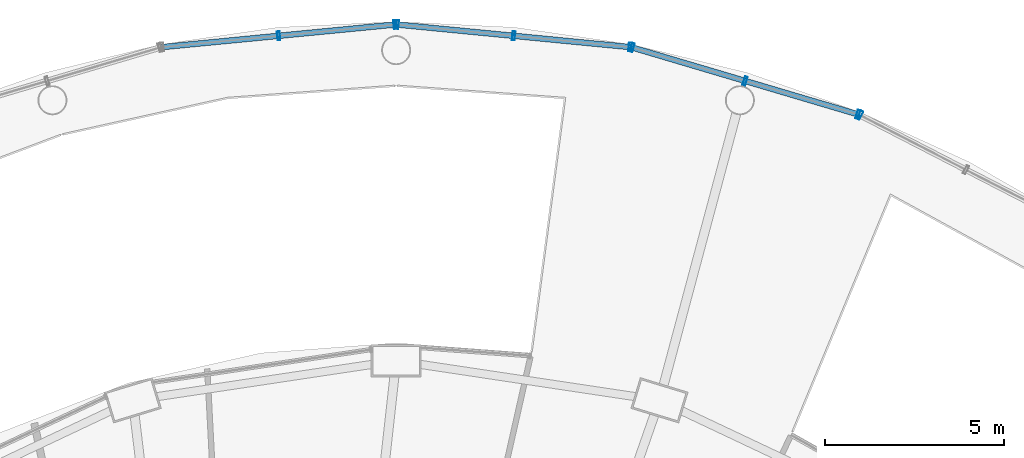
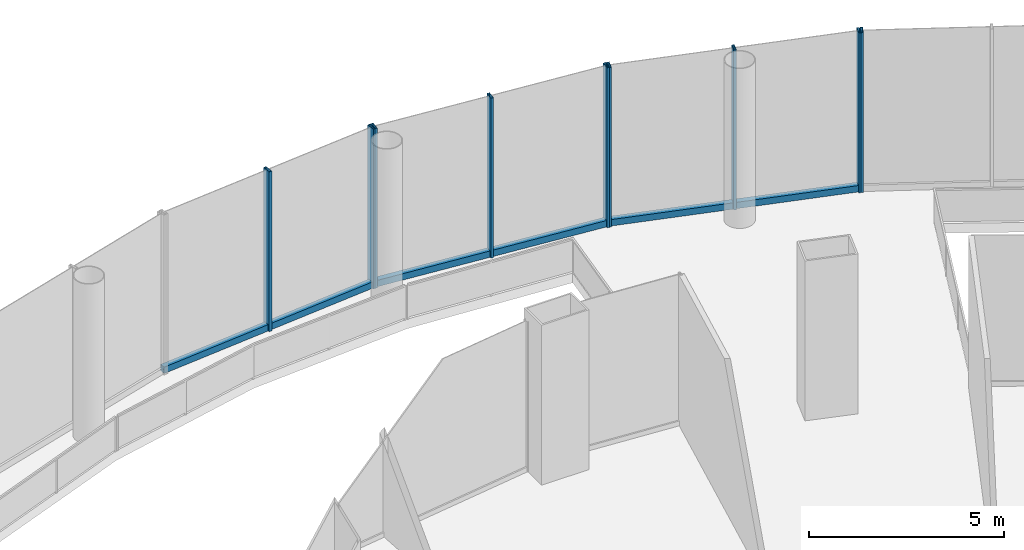
# One storey, part 37 of 48: 12 members, 4 elements without a shape of their own.
"""IFC4 building model written with IfcOpenShell, lengths in metres."""

import ifcopenshell
import ifcopenshell.guid

model = None  # the IFC model being written
_history = None  # IfcOwnerHistory: only IFC2X3 demands one
_inside = {}  # id of a spatial element -> (the spatial element, [elements in it])
_under = {}  # id of a project, library or spatial element -> (it, [spatial elements below it])
_declared = {}  # id of a project -> (the project, [libraries it declares])
_typed = {}  # id of a type object -> (the type object, [elements of that type])
_made_of = {}  # id of a material, layer set ... -> (it, [elements and type objects made of it])


def new_model(schema):
    """Start an empty IFC model of exactly this schema.

    Asked for "IFC4X3", IfcOpenShell would pick the latest addendum, in which some entities
    have other attributes; the version numbers below select the first issue.
    IFC2X3 requires an IfcOwnerHistory on every rooted entity: one is made here for all.
    """
    global model, _history
    if schema == "IFC4X3":
        model = ifcopenshell.file(schema_version=(4, 3, 0, 0))
    else:
        model = ifcopenshell.file(schema=schema)
    _inside.clear()
    _under.clear()
    _declared.clear()
    _typed.clear()
    _made_of.clear()
    _history = None
    if model.schema == "IFC2X3":
        org = make("IfcOrganization", Name="unknown")
        user = make(
            "IfcPersonAndOrganization",
            ThePerson=make("IfcPerson", FamilyName="unknown"),
            TheOrganization=org,
        )
        app = make(
            "IfcApplication",
            ApplicationDeveloper=org,
            Version="unknown",
            ApplicationFullName="unknown",
            ApplicationIdentifier="unknown",
        )
        _history = make(
            "IfcOwnerHistory",
            OwningUser=user,
            OwningApplication=app,
            ChangeAction="ADDED",
            CreationDate=0,
        )
    return model


def make(cls, **values):
    """One entity of the class cls with the attributes given. An attribute that is None is left unset."""
    return model.create_entity(
        cls, **{name: value for name, value in values.items() if value is not None}
    )


def rooted(cls, **values):
    """An entity with a GlobalId (a new one), such as an element, a storey or a relation."""
    return make(cls, GlobalId=ifcopenshell.guid.new(), OwnerHistory=_history, **values)


def si_unit(unit_type, name, prefix=None):
    """IfcSIUnit, for example si_unit("LENGTHUNIT", "METRE", prefix="MILLI")."""
    return make("IfcSIUnit", UnitType=unit_type, Prefix=prefix, Name=name)


def assignment(units):
    """IfcUnitAssignment: the units of a project."""
    return None if units is None else make("IfcUnitAssignment", Units=units)


def point(xyz):
    """IfcCartesianPoint."""
    return None if xyz is None else make("IfcCartesianPoint", Coordinates=xyz)


def direction(xyz):
    """IfcDirection."""
    return None if xyz is None else make("IfcDirection", DirectionRatios=xyz)


def frame(location, z_axis=None, x_axis=None):
    """IfcAxis2Placement3D, a coordinate frame: its origin and axes. An axis left out is left unset."""
    return make(
        "IfcAxis2Placement3D",
        Location=point(location),
        Axis=direction(z_axis),
        RefDirection=direction(x_axis),
    )


def frame_2d(location, x_axis=None):
    """IfcAxis2Placement2D, a coordinate frame in the plane: its origin and x axis."""
    return make(
        "IfcAxis2Placement2D", Location=point(location), RefDirection=direction(x_axis)
    )


def origin():
    """The frame at (0, 0, 0) with its axes left unset."""
    return frame((0.0, 0.0, 0.0))


def origin_2d():
    """The frame at (0, 0) in the plane with its x axis left unset."""
    return frame_2d((0.0, 0.0))


def place(relative_to, where):
    """IfcLocalPlacement: puts the frame where relative to a parent placement (None: the world)."""
    return make(
        "IfcLocalPlacement", PlacementRelTo=relative_to, RelativePlacement=where
    )


def context(
    kind, dimensions, precision=None, world=None, true_north=None, identifier=None
):
    """IfcGeometricRepresentationContext, for example the 3D "Model" context."""
    return make(
        "IfcGeometricRepresentationContext",
        ContextIdentifier=identifier,
        ContextType=kind,
        CoordinateSpaceDimension=dimensions,
        Precision=precision,
        WorldCoordinateSystem=world,
        TrueNorth=true_north,
    )


def subcontext(parent, identifier, kind, view, scale=None):
    """IfcGeometricRepresentationSubContext, for example "Body" below "Model"."""
    return make(
        "IfcGeometricRepresentationSubContext",
        ContextIdentifier=identifier,
        ContextType=kind,
        ParentContext=parent,
        TargetScale=scale,
        TargetView=view,
    )


def project(units=None, contexts=None):
    """IfcProject with its units and contexts."""
    return rooted(
        "IfcProject",
        Name="project",
        RepresentationContexts=contexts,
        UnitsInContext=assignment(units),
    )


def spatial(cls, under=None, at=None, **own):
    """A site, building, storey or space (cls), placed at a placement, below another one or the project."""
    s = rooted(cls, ObjectPlacement=at, **own)
    if under is not None:
        _under.setdefault(under.id(), (under, []))[1].append(s)
    return s


def profile(cls, at=None, kind="AREA", **sizes):
    """A parametric profile (cls). Its sizes go by their IFC names, for example OverallWidth=200.0."""
    return make(cls, ProfileType=kind, Position=at, **sizes)


def hollow_rectangle(**sizes):
    """IfcRectangleHollowProfileDef."""
    return profile("IfcRectangleHollowProfileDef", **sizes)


def extrude(swept, where, along, depth):
    """IfcExtrudedAreaSolid: the profile swept, set in the frame where, extruded along a direction by depth."""
    return make(
        "IfcExtrudedAreaSolid",
        SweptArea=swept,
        Position=where,
        ExtrudedDirection=direction(along),
        Depth=depth,
    )


def shape(context_of_items, identifier, shape_type, items):
    """IfcShapeRepresentation: the items that make up one representation, for example the "Body"."""
    return make(
        "IfcShapeRepresentation",
        ContextOfItems=context_of_items,
        RepresentationIdentifier=identifier,
        RepresentationType=shape_type,
        Items=items,
    )


def material(Name=None, Category=None):
    """IfcMaterial."""
    return make("IfcMaterial", Name=Name, Category=Category)


def layer(
    of_material, thickness, ventilated=None, Name=None, Category=None, Priority=None
):
    """IfcMaterialLayer: one layer of a wall or slab, of a material (None: an air gap)."""
    return make(
        "IfcMaterialLayer",
        Material=of_material,
        LayerThickness=thickness,
        IsVentilated=ventilated,
        Name=Name,
        Category=Category,
        Priority=Priority,
    )


def layer_set(layers, Name=None):
    """IfcMaterialLayerSet."""
    return make("IfcMaterialLayerSet", MaterialLayers=layers, LayerSetName=Name)


def material_profile(
    of_material, cross_section, Name=None, Category=None, Priority=None
):
    """IfcMaterialProfile: a cross section and its material."""
    return make(
        "IfcMaterialProfile",
        Name=Name,
        Material=of_material,
        Profile=cross_section,
        Priority=Priority,
        Category=Category,
    )


def profile_set(profiles, Name=None, composite=None):
    """IfcMaterialProfileSet."""
    return make(
        "IfcMaterialProfileSet",
        Name=Name,
        MaterialProfiles=profiles,
        CompositeProfile=composite,
    )


def made_of(thing, what):
    """Note that an element or type object is made of a material, layer set ...; save() writes the relation."""
    if what is not None:
        _made_of.setdefault(what.id(), (what, []))[1].append(thing)
    return thing


def type_object(cls, material=None, **own):
    """A type object (cls), such as IfcWallType, which elements share."""
    return made_of(rooted(cls, **own), material)


def element(
    cls,
    number,
    at=None,
    inside=None,
    cuts=None,
    type_object=None,
    material=None,
    context=None,
    identifier="Body",
    shape_type=None,
    held_by="IfcProductDefinitionShape",
    body=None,
    shapes=None,
    **own,
):
    """One element of the class cls, such as IfcWall. Its Tag is "e" and its number.

    at: its placement. inside: the storey or other place that contains it. cuts: it is an
    opening in that element (IfcRelVoidsElement). A single representation is given by context,
    identifier, shape_type and body (its items); several are given by shapes. held_by: the class
    of the entity that holds the representations. save() writes the other relations.
    """
    e = rooted(cls, Tag="e%d" % number, ObjectPlacement=at, **own)
    if body is not None:
        shapes = [shape(context, identifier, shape_type, body)]
    if shapes is not None:
        e.Representation = make(held_by, Representations=shapes)
    if inside is not None:
        _inside.setdefault(inside.id(), (inside, []))[1].append(e)
    if cuts is not None:
        rooted(
            "IfcRelVoidsElement", RelatingBuildingElement=cuts, RelatedOpeningElement=e
        )
    if type_object is not None:
        _typed.setdefault(type_object.id(), (type_object, []))[1].append(e)
    return made_of(e, material)


def aggregate(whole, parts):
    """IfcRelAggregates: a whole, such as a stair, and the parts it consists of."""
    return rooted("IfcRelAggregates", RelatingObject=whole, RelatedObjects=parts)


def save(model, path):
    """Write the relations noted so far, then the file.

    IfcRelAggregates (storeys below a building ...), IfcRelContainedInSpatialStructure (elements
    in a storey), IfcRelDefinesByType, IfcRelAssociatesMaterial and IfcRelDeclares: one each for
    every whole, place, type object, material and project.
    """
    for whole, parts in _under.values():
        aggregate(whole, parts)
    for where, things in _inside.values():
        rooted(
            "IfcRelContainedInSpatialStructure",
            RelatedElements=things,
            RelatingStructure=where,
        )
    for kind, things in _typed.values():
        rooted("IfcRelDefinesByType", RelatedObjects=things, RelatingType=kind)
    for what, things in _made_of.values():
        rooted("IfcRelAssociatesMaterial", RelatedObjects=things, RelatingMaterial=what)
    for by, libraries in _declared.values():
        rooted("IfcRelDeclares", RelatingContext=by, RelatedDefinitions=libraries)
    model.write(path)


model = new_model("IFC4")

# Units and contexts
model_context = context("Model", 3, precision=1e-05, world=origin(), true_north=direction((0.0, 1.0)))
body_context = subcontext(model_context, "Body", "Model", "MODEL_VIEW")
ifc_project = project(units=[si_unit("LENGTHUNIT", "METRE"), si_unit("AREAUNIT", "SQUARE_METRE"), si_unit("VOLUMEUNIT", "CUBIC_METRE"), si_unit("PLANEANGLEUNIT", "RADIAN"), si_unit("MASSUNIT", "GRAM", prefix="KILO")], contexts=[model_context])

# Site, building, storey
site_placement = place(None, origin())
site = spatial("IfcSite", under=ifc_project, at=site_placement, CompositionType="ELEMENT")
building_placement = place(site_placement, origin())
building = spatial("IfcBuilding", under=site, at=building_placement, Name="Nagisa Residences", CompositionType="ELEMENT")
storey_placement = place(building_placement, frame((0.0, 0.0, 12.0)))
storey = spatial("IfcBuildingStorey", under=building, at=storey_placement, Name="L02", CompositionType="ELEMENT", Elevation=12.0)

# Curtain wall, member
ifc_material_1 = material(Name="Stainless steel curtain wall system", Category="steel")
ifc_layer = layer(ifc_material_1, 0.159912109375)
ifc_layer_set = layer_set([ifc_layer], Name="CW3 CURTAIN WALL")
curtain_wall_type = type_object("IfcCurtainWallType", Name="CW3 CURTAIN WALL", PredefinedType="NOTDEFINED", material=ifc_layer_set)
curtain_wall_1_placement = place(storey_placement, origin())
curtain_wall_1 = element("IfcCurtainWall", 1, at=curtain_wall_1_placement, inside=storey, type_object=curtain_wall_type, Name="cw:CW3:L02:06", PredefinedType="NOTDEFINED")
ifc_material_2 = material(Name="Stainless steel", Category="steel")
ifc_material_profile_1 = material_profile(ifc_material_2, hollow_rectangle(XDim=0.25, YDim=0.080078125, WallThickness=0.008056640625, at=origin_2d()), Name="CW3 MULLION 250x80")
ifc_profile_set_1 = profile_set([ifc_material_profile_1], Name="Stainless steel")
member_type_1 = type_object("IfcMemberType", Name="CW3 MULLION 250x80", PredefinedType="MULLION", material=ifc_profile_set_1)
member_1_placement = place(storey_placement, frame((16.595703125, 39.377685546875, 0.0), z_axis=(0.0, 0.0, 1.0), x_axis=(-0.45812598783, -0.888887270285, 0.0)))
member_1 = element("IfcMember", 2, at=member_1_placement, type_object=member_type_1, Name="CW3 mullion", PredefinedType="MULLION", context=body_context, shape_type="SweptSolid", body=[
    extrude(hollow_rectangle(XDim=0.25, YDim=0.080078125, WallThickness=0.008056640625, at=origin_2d()), origin(), (0.0, 0.0, 1.0), 5.0),
])
aggregate(curtain_wall_1, [member_1])

# Curtain wall, members
curtain_wall_2_placement = place(storey_placement, origin())
curtain_wall_2 = element("IfcCurtainWall", 3, at=curtain_wall_2_placement, inside=storey, type_object=curtain_wall_type, Name="cw:CW3:L02:07", PredefinedType="NOTDEFINED")
member_2_placement = place(storey_placement, frame((16.53564453125, 39.40185546875, 0.0), z_axis=(0.0, 0.0, 1.0), x_axis=(-0.283963226669, -0.958835171393, 0.0)))
member_2 = element("IfcMember", 4, at=member_2_placement, type_object=member_type_1, Name="CW3 mullion", PredefinedType="MULLION", context=body_context, shape_type="SweptSolid", body=[
    extrude(hollow_rectangle(XDim=0.25, YDim=0.080078125, WallThickness=0.008056640625, at=origin_2d()), origin(), (0.0, 0.0, 1.0), 5.0),
])
member_3_placement = place(storey_placement, frame((13.375, 40.337890625, 0.0), z_axis=(0.0, 0.0, 1.0), x_axis=(-0.283963226669, -0.958835171393, 0.0)))
member_3 = element("IfcMember", 5, at=member_3_placement, type_object=member_type_1, Name="CW3 mullion", PredefinedType="MULLION", context=body_context, shape_type="SweptSolid", body=[
    extrude(hollow_rectangle(XDim=0.25, YDim=0.080078125, WallThickness=0.008056640625, at=origin_2d()), origin(), (0.0, 0.0, 1.0), 5.0),
])
member_4_placement = place(storey_placement, frame((10.21435546875, 41.27392578125, 0.0), z_axis=(0.0, 0.0, 1.0), x_axis=(-0.283963226669, -0.958835171393, 0.0)))
member_4 = element("IfcMember", 6, at=member_4_placement, type_object=member_type_1, Name="CW3 mullion", PredefinedType="MULLION", context=body_context, shape_type="SweptSolid", body=[
    extrude(hollow_rectangle(XDim=0.25, YDim=0.080078125, WallThickness=0.008056640625, at=origin_2d()), origin(), (0.0, 0.0, 1.0), 5.0),
])

curtain_wall_3_placement = place(storey_placement, origin())
curtain_wall_3 = element("IfcCurtainWall", 7, at=curtain_wall_3_placement, inside=storey, type_object=curtain_wall_type, Name="cw:CW3:L02:08", PredefinedType="NOTDEFINED")
member_5_placement = place(storey_placement, frame((10.151123046875, 41.2861328125, 0.0), z_axis=(0.0, 0.0, 1.0), x_axis=(-0.096249055035, -0.995357282289, 0.0)))
member_5 = element("IfcMember", 8, at=member_5_placement, type_object=member_type_1, Name="CW3 mullion", PredefinedType="MULLION", context=body_context, shape_type="SweptSolid", body=[
    extrude(hollow_rectangle(XDim=0.25, YDim=0.080078125, WallThickness=0.008056640625, at=origin_2d()), origin(), (0.0, 0.0, 1.0), 5.0),
])
member_6_placement = place(storey_placement, frame((6.8916015625, 41.601318359375, 0.0), z_axis=(0.0, 0.0, 1.0), x_axis=(-0.096249055035, -0.995357282289, 0.0)))
member_6 = element("IfcMember", 9, at=member_6_placement, type_object=member_type_1, Name="CW3 mullion", PredefinedType="MULLION", context=body_context, shape_type="SweptSolid", body=[
    extrude(hollow_rectangle(XDim=0.25, YDim=0.080078125, WallThickness=0.008056640625, at=origin_2d()), origin(), (0.0, 0.0, 1.0), 5.0),
])
member_7_placement = place(storey_placement, frame((3.632080078125, 41.91650390625, 0.0), z_axis=(0.0, 0.0, 1.0), x_axis=(-0.096249055035, -0.995357282289, 0.0)))
member_7 = element("IfcMember", 10, at=member_7_placement, type_object=member_type_1, Name="CW3 mullion", PredefinedType="MULLION", context=body_context, shape_type="SweptSolid", body=[
    extrude(hollow_rectangle(XDim=0.25, YDim=0.080078125, WallThickness=0.008056640625, at=origin_2d()), origin(), (0.0, 0.0, 1.0), 5.0),
])

curtain_wall_4_placement = place(storey_placement, origin())
curtain_wall_4 = element("IfcCurtainWall", 11, at=curtain_wall_4_placement, inside=storey, type_object=curtain_wall_type, Name="cw:CW3:L02:09", PredefinedType="NOTDEFINED")
member_8_placement = place(storey_placement, frame((3.56787109375, 41.91650390625, 0.0), z_axis=(0.0, 0.0, 1.0), x_axis=(0.096249055035, -0.995357282289, 0.0)))
member_8 = element("IfcMember", 12, at=member_8_placement, type_object=member_type_1, Name="CW3 mullion", PredefinedType="MULLION", context=body_context, shape_type="SweptSolid", body=[
    extrude(hollow_rectangle(XDim=0.25, YDim=0.080078125, WallThickness=0.008056640625, at=origin_2d()), origin(), (0.0, 0.0, 1.0), 5.0),
])
member_9_placement = place(storey_placement, frame((0.308349609375, 41.601318359375, 0.0), z_axis=(0.0, 0.0, 1.0), x_axis=(0.096249055035, -0.995357282289, 0.0)))
member_9 = element("IfcMember", 13, at=member_9_placement, type_object=member_type_1, Name="CW3 mullion", PredefinedType="MULLION", context=body_context, shape_type="SweptSolid", body=[
    extrude(hollow_rectangle(XDim=0.25, YDim=0.080078125, WallThickness=0.008056640625, at=origin_2d()), origin(), (0.0, 0.0, 1.0), 5.0),
])

# Member
ifc_material_3 = material(Name="Stainless steel", Category="steel")
ifc_material_profile_2 = material_profile(ifc_material_3, hollow_rectangle(XDim=0.159912109375, YDim=0.199951171875, WallThickness=0.008056640625, at=origin_2d()), Name="CW3 TRANSOM 160x200")
ifc_profile_set_2 = profile_set([ifc_material_profile_2], Name="Stainless steel")
member_type_2 = type_object("IfcMemberType", Name="CW3 TRANSOM 160x200", PredefinedType="USERDEFINED", material=ifc_profile_set_2)
member_10_placement = place(storey_placement, frame((16.573974609375, 39.390380859375, 0.10009765625), z_axis=(-0.958835384932, 0.283962505627, 0.0), x_axis=(-0.283962505627, -0.958835384932, 0.0)))
member_10 = element("IfcMember", 14, at=member_10_placement, type_object=member_type_2, Name="CW3 transom", ObjectType="TRANSOM", PredefinedType="USERDEFINED", context=body_context, shape_type="SweptSolid", body=[
    extrude(hollow_rectangle(XDim=0.159912109375, YDim=0.199951171875, WallThickness=0.008056640625, at=origin_2d()), origin(), (0.0, 0.0, 1.0), 6.672607421875),
])

aggregate(curtain_wall_2, [member_2, member_3, member_4, member_10])

member_11_placement = place(storey_placement, frame((10.19091796875, 41.2822265625, 0.10009765625), z_axis=(-0.995355706687, 0.096265347687, 0.0), x_axis=(-0.096265347687, -0.995355706687, 0.0)))
member_11 = element("IfcMember", 15, at=member_11_placement, type_object=member_type_2, Name="CW3 transom", ObjectType="TRANSOM", PredefinedType="USERDEFINED", context=body_context, shape_type="SweptSolid", body=[
    extrude(hollow_rectangle(XDim=0.159912109375, YDim=0.199951171875, WallThickness=0.008056640625, at=origin_2d()), origin(), (0.0, 0.0, 1.0), 6.62939453125),
])

aggregate(curtain_wall_3, [member_5, member_6, member_7, member_11])

member_12_placement = place(storey_placement, frame((3.607666015625, 41.92041015625, 0.10009765625), z_axis=(-0.995355706687, -0.096265347687, 0.0), x_axis=(0.096265347687, -0.995355706687, 0.0)))
member_12 = element("IfcMember", 16, at=member_12_placement, type_object=member_type_2, Name="CW3 transom", ObjectType="TRANSOM", PredefinedType="USERDEFINED", context=body_context, shape_type="SweptSolid", body=[
    extrude(hollow_rectangle(XDim=0.159912109375, YDim=0.199951171875, WallThickness=0.008056640625, at=origin_2d()), origin(), (0.0, 0.0, 1.0), 6.62939453125),
])

aggregate(curtain_wall_4, [member_8, member_9, member_12])

save(model, "model.ifc")
